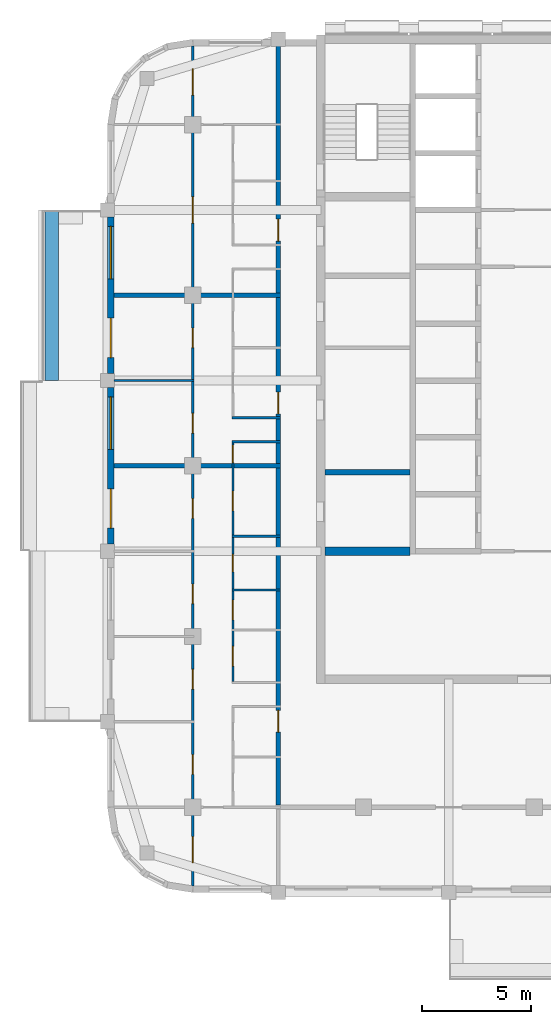
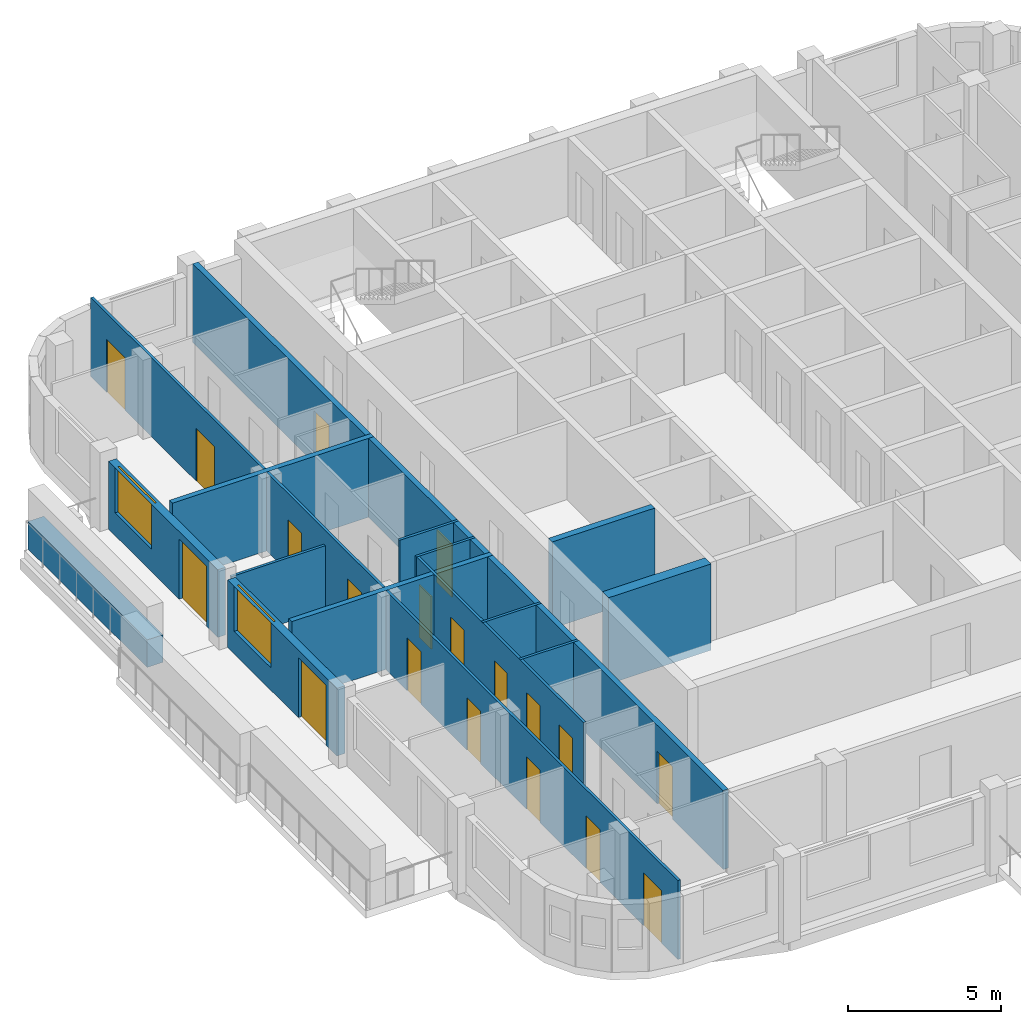
# One storey, part 3 of 13: 19 doors, 15 walls, 2 windows, 21 openings.
"""IFC4 building model written with IfcOpenShell, lengths in metres."""

from ifc_helpers import new_model, si_unit, direction, frame, frame_2d, origin, place, context, subcontext, project, spatial, rectangle, extrude, material, layer, layer_set, type_object, element, fill, save


model = new_model("IFC4")

# Units and contexts
model_context = context("Model", 3, precision=1e-05, world=origin(), true_north=direction((0.0, 1.0)))
body_context = subcontext(model_context, "Body", "Model", "MODEL_VIEW")
ifc_project = project(units=[si_unit("LENGTHUNIT", "METRE"), si_unit("AREAUNIT", "SQUARE_METRE"), si_unit("VOLUMEUNIT", "CUBIC_METRE"), si_unit("PLANEANGLEUNIT", "RADIAN"), si_unit("MASSUNIT", "GRAM", prefix="KILO")], contexts=[model_context])

# Site, building, storey
site_placement = place(None, origin())
site = spatial("IfcSite", under=ifc_project, at=site_placement, CompositionType="ELEMENT")
building_placement = place(site_placement, origin())
building = spatial("IfcBuilding", under=site, at=building_placement, Name="Ludao Terraces", CompositionType="ELEMENT")
storey_placement = place(building_placement, frame((0.0, 0.0, 246.0)))
storey = spatial("IfcBuildingStorey", under=building, at=storey_placement, Name="L67", CompositionType="ELEMENT", Elevation=246.0)

# Wall
ifc_material_1 = material(Name="Concrete C40", Category="concrete")
ifc_layer_1 = layer(ifc_material_1, 0.60009765625)
ifc_layer_set_1 = layer_set([ifc_layer_1], Name="ENV Planter trough 600")
wall_type_1 = type_object("IfcWallType", Name="ENV Planter trough 600", PredefinedType="USERDEFINED", material=ifc_layer_set_1)
wall_1_placement = place(storey_placement, frame((62.949951171875, 68.89990234375, 0.0), z_axis=(0.0, 0.0, 1.0), x_axis=(0.0, 1.0, 0.0)))
element("IfcWall", 1, at=wall_1_placement, inside=storey, type_object=wall_type_1, Name="PL-L67-W3", ObjectType="PLANTER", PredefinedType="USERDEFINED", context=body_context, shape_type="SweptSolid", body=[
    extrude(rectangle(XDim=7.800048828125, YDim=0.60009765625, at=frame_2d((3.89990234375, 0.0))), origin(), (0.0, 0.0, 1.0), 1.10009765625),
])

# Wall, openings, door, window
ifc_material_2 = material(Name="Granite cladding", Category="masonry")
ifc_layer_2 = layer(ifc_material_2, 0.0400390625, Category="stone")
ifc_material_3 = material(Name="Mineral wool")
ifc_layer_3 = layer(ifc_material_3, 0.06005859375)
ifc_layer_4 = layer(ifc_material_1, 0.199951171875, Category="concrete")
ifc_layer_set_2 = layer_set([ifc_layer_2, ifc_layer_3, ifc_layer_4], Name="ENV Stone-clad wall 300")
wall_type_2 = type_object("IfcWallType", Name="ENV Stone-clad wall 300", PredefinedType="SOLIDWALL", material=ifc_layer_set_2)
wall_2_placement = place(storey_placement, frame((65.64990234375, 61.425048828125, 0.0), z_axis=(0.0, 0.0, 1.0), x_axis=(0.0, 1.0, 0.0)))
wall_2 = element("IfcWall", 2, at=wall_2_placement, inside=storey, type_object=wall_type_2, Name="EW-L67-W3", PredefinedType="SOLIDWALL", context=body_context, shape_type="SweptSolid", body=[
    extrude(rectangle(XDim=7.14990234375, YDim=0.300048828125, at=frame_2d((3.574951171875, 0.0))), origin(), (0.0, 0.0, 1.0), 2.699951171875),
])
opening_1_placement = place(wall_2_placement, frame((0.72509765625, 0.0, 0.0)))
opening_1 = element("IfcOpeningElement", 3, at=opening_1_placement, cuts=wall_2, Name="Opening BD", PredefinedType="OPENING", context=body_context, shape_type="SweptSolid", body=[
    extrude(rectangle(XDim=1.800048828125, YDim=2.39990234375, at=frame_2d((0.89990234375, 1.199951171875))), frame((0.0, 0.16015625, 0.0), z_axis=(0.0, -1.0, 0.0), x_axis=(1.0, 0.0, 0.0)), (0.0, 0.0, 1.0), 0.320068359375),
])
opening_2_placement = place(wall_2_placement, frame((4.324951171875, 0.0, 0.89990234375)))
opening_2 = element("IfcOpeningElement", 4, at=opening_2_placement, cuts=wall_2, Name="Opening W1", PredefinedType="OPENING", context=body_context, shape_type="SweptSolid", body=[
    extrude(rectangle(XDim=2.39990234375, YDim=1.800048828125, at=frame_2d((1.199951171875, 0.89990234375))), frame((0.0, 0.16015625, 0.0), z_axis=(0.0, -1.0, 0.0), x_axis=(1.0, 0.0, 0.0)), (0.0, 0.0, 1.0), 0.320068359375),
])
ifc_material_4 = material(Name="Aluminium glazed door", Category="aluminium")
ifc_layer_5 = layer(ifc_material_4, 0.06005859375)
ifc_layer_set_3 = layer_set([ifc_layer_5], Name="ENV Balcony door BD 1800x2400")
door_type_1 = type_object("IfcDoorType", Name="ENV Balcony door BD 1800x2400", OperationType="DOUBLE_DOOR_SINGLE_SWING", PredefinedType="DOOR", material=ifc_layer_set_3)
door_1_placement = place(opening_1_placement, origin())
door_1 = element("IfcDoor", 5, at=door_1_placement, inside=storey, type_object=door_type_1, Name="BD-L67-W3-1", OperationType="DOUBLE_DOOR_SINGLE_SWING", OverallHeight=2.39990234375, OverallWidth=1.800048828125, PredefinedType="DOOR", context=body_context, shape_type="SweptSolid", body=[
    extrude(rectangle(XDim=1.800048828125, YDim=2.39990234375, at=frame_2d((0.89990234375, 1.199951171875))), frame((0.0, 0.02490234375, 0.0), z_axis=(0.0, -1.0, 0.0), x_axis=(1.0, 0.0, 0.0)), (0.0, 0.0, 1.0), 0.050048828125),
])
fill(opening_1, door_1)
ifc_material_5 = material(Name="Clear glass in aluminium frame", Category="aluminium")
ifc_layer_6 = layer(ifc_material_5, 0.06005859375)
ifc_layer_set_4 = layer_set([ifc_layer_6], Name="ENV Window W1 2400x1800")
window_type = type_object("IfcWindowType", Name="ENV Window W1 2400x1800", PartitioningType="DOUBLE_PANEL_VERTICAL", PredefinedType="WINDOW", material=ifc_layer_set_4)
window_1_placement = place(opening_2_placement, origin())
window_1 = element("IfcWindow", 6, at=window_1_placement, inside=storey, type_object=window_type, Name="W-L67-W3-2", OverallHeight=1.800048828125, OverallWidth=2.39990234375, PartitioningType="DOUBLE_PANEL_VERTICAL", PredefinedType="WINDOW", context=body_context, shape_type="SweptSolid", body=[
    extrude(rectangle(XDim=2.39990234375, YDim=1.800048828125, at=frame_2d((1.199951171875, 0.89990234375))), frame((0.0, 0.030029296875, 0.0), z_axis=(0.0, -1.0, 0.0), x_axis=(1.0, 0.0, 0.0)), (0.0, 0.0, 1.0), 0.06005859375),
])
fill(opening_2, window_1)

wall_3_placement = place(storey_placement, frame((65.64990234375, 69.22509765625, 0.0), z_axis=(0.0, 0.0, 1.0), x_axis=(0.0, 1.0, 0.0)))
wall_3 = element("IfcWall", 7, at=wall_3_placement, inside=storey, type_object=wall_type_2, Name="EW-L67-W4", PredefinedType="SOLIDWALL", context=body_context, shape_type="SweptSolid", body=[
    extrude(rectangle(XDim=7.14990234375, YDim=0.300048828125, at=frame_2d((3.574951171875, 0.0))), origin(), (0.0, 0.0, 1.0), 2.699951171875),
])
opening_3_placement = place(wall_3_placement, frame((0.72509765625, 0.0, 0.0)))
opening_3 = element("IfcOpeningElement", 8, at=opening_3_placement, cuts=wall_3, Name="Opening BD", PredefinedType="OPENING", context=body_context, shape_type="SweptSolid", body=[
    extrude(rectangle(XDim=1.800048828125, YDim=2.39990234375, at=frame_2d((0.89990234375, 1.199951171875))), frame((0.0, 0.16015625, 0.0), z_axis=(0.0, -1.0, 0.0), x_axis=(1.0, 0.0, 0.0)), (0.0, 0.0, 1.0), 0.320068359375),
])
opening_4_placement = place(wall_3_placement, frame((4.324951171875, 0.0, 0.89990234375)))
opening_4 = element("IfcOpeningElement", 9, at=opening_4_placement, cuts=wall_3, Name="Opening W1", PredefinedType="OPENING", context=body_context, shape_type="SweptSolid", body=[
    extrude(rectangle(XDim=2.39990234375, YDim=1.800048828125, at=frame_2d((1.199951171875, 0.89990234375))), frame((0.0, 0.16015625, 0.0), z_axis=(0.0, -1.0, 0.0), x_axis=(1.0, 0.0, 0.0)), (0.0, 0.0, 1.0), 0.320068359375),
])
door_2_placement = place(opening_3_placement, origin())
door_2 = element("IfcDoor", 10, at=door_2_placement, inside=storey, type_object=door_type_1, Name="BD-L67-W4-1", OperationType="DOUBLE_DOOR_SINGLE_SWING", OverallHeight=2.39990234375, OverallWidth=1.800048828125, PredefinedType="DOOR", context=body_context, shape_type="SweptSolid", body=[
    extrude(rectangle(XDim=1.800048828125, YDim=2.39990234375, at=frame_2d((0.89990234375, 1.199951171875))), frame((0.0, 0.02490234375, 0.0), z_axis=(0.0, -1.0, 0.0), x_axis=(1.0, 0.0, 0.0)), (0.0, 0.0, 1.0), 0.050048828125),
])
fill(opening_3, door_2)
window_2_placement = place(opening_4_placement, origin())
window_2 = element("IfcWindow", 11, at=window_2_placement, inside=storey, type_object=window_type, Name="W-L67-W4-2", OverallHeight=1.800048828125, OverallWidth=2.39990234375, PartitioningType="DOUBLE_PANEL_VERTICAL", PredefinedType="WINDOW", context=body_context, shape_type="SweptSolid", body=[
    extrude(rectangle(XDim=2.39990234375, YDim=1.800048828125, at=frame_2d((1.199951171875, 0.89990234375))), frame((0.0, 0.030029296875, 0.0), z_axis=(0.0, -1.0, 0.0), x_axis=(1.0, 0.0, 0.0)), (0.0, 0.0, 1.0), 0.06005859375),
])
fill(opening_4, window_2)

# Wall, openings, doors
ifc_material_6 = material(Name="Autoclaved aerated concrete block B06 A3.5", Category="concrete")
ifc_layer_7 = layer(ifc_material_6, 0.199951171875)
ifc_layer_set_5 = layer_set([ifc_layer_7], Name="INT Entrance wall 200")
wall_type_3 = type_object("IfcWallType", Name="INT Entrance wall 200", PredefinedType="PARTITIONING", material=ifc_layer_set_5)
wall_4_placement = place(storey_placement, frame((73.300048828125, 49.5, 0.0), z_axis=(0.0, 0.0, 1.0), x_axis=(0.0, 1.0, 0.0)))
wall_4 = element("IfcWall", 12, at=wall_4_placement, inside=storey, type_object=wall_type_3, Name="PW-L67-PW052", PredefinedType="PARTITIONING", context=body_context, shape_type="SweptSolid", body=[
    extrude(rectangle(XDim=34.7001953125, YDim=0.199951171875, at=frame_2d((17.35009765625, 0.0))), origin(), (0.0, 0.0, 1.0), 3.14990234375),
])
opening_5_placement = place(wall_4_placement, frame((3.3251953125, 0.0, 0.0)))
opening_5 = element("IfcOpeningElement", 13, at=opening_5_placement, cuts=wall_4, Name="Opening R24-014", PredefinedType="OPENING", context=body_context, shape_type="SweptSolid", body=[
    extrude(rectangle(XDim=1.0, YDim=2.10009765625, at=frame_2d((0.5, 1.050048828125))), frame((0.0, 0.10986328125, 0.0), z_axis=(0.0, -1.0, 0.0), x_axis=(1.0, 0.0, 0.0)), (0.0, 0.0, 1.0), 0.219970703125),
])
opening_6_placement = place(wall_4_placement, frame((17.875, 0.0, 0.0)))
opening_6 = element("IfcOpeningElement", 14, at=opening_6_placement, cuts=wall_4, Name="Opening R24-046", PredefinedType="OPENING", context=body_context, shape_type="SweptSolid", body=[
    extrude(rectangle(XDim=1.0, YDim=2.10009765625, at=frame_2d((0.5, 1.050048828125))), frame((0.0, 0.10986328125, 0.0), z_axis=(0.0, -1.0, 0.0), x_axis=(1.0, 0.0, 0.0)), (0.0, 0.0, 1.0), 0.219970703125),
])
opening_7_placement = place(wall_4_placement, frame((25.775146484375, 0.0, 0.0)))
opening_7 = element("IfcOpeningElement", 15, at=opening_7_placement, cuts=wall_4, Name="Opening R24-068", PredefinedType="OPENING", context=body_context, shape_type="SweptSolid", body=[
    extrude(rectangle(XDim=1.0, YDim=2.10009765625, at=frame_2d((0.5, 1.050048828125))), frame((0.0, 0.10986328125, 0.0), z_axis=(0.0, -1.0, 0.0), x_axis=(1.0, 0.0, 0.0)), (0.0, 0.0, 1.0), 0.219970703125),
])
ifc_material_7 = material(Name="Steel Q235", Category="steel")
door_type_2 = type_object("IfcDoorType", Name="INT Flat entrance door 1000", OperationType="SINGLE_SWING_LEFT", PredefinedType="DOOR", material=ifc_material_7)
door_3_placement = place(opening_5_placement, origin())
door_3 = element("IfcDoor", 16, at=door_3_placement, inside=storey, type_object=door_type_2, Name="DOOR 014", OperationType="SINGLE_SWING_LEFT", OverallHeight=2.10009765625, OverallWidth=1.0, PredefinedType="DOOR", context=body_context, shape_type="SweptSolid", body=[
    extrude(rectangle(XDim=1.0, YDim=2.10009765625, at=frame_2d((0.5, 1.050048828125))), frame((0.0, 0.02490234375, 0.0), z_axis=(0.0, -1.0, 0.0), x_axis=(1.0, 0.0, 0.0)), (0.0, 0.0, 1.0), 0.050048828125),
])
fill(opening_5, door_3)
door_4_placement = place(opening_6_placement, origin())
door_4 = element("IfcDoor", 17, at=door_4_placement, inside=storey, type_object=door_type_2, Name="DOOR 046", OperationType="SINGLE_SWING_RIGHT", OverallHeight=2.10009765625, OverallWidth=1.0, PredefinedType="DOOR", context=body_context, shape_type="SweptSolid", body=[
    extrude(rectangle(XDim=1.0, YDim=2.10009765625, at=frame_2d((0.5, 1.050048828125))), frame((0.0, 0.02490234375, 0.0), z_axis=(0.0, -1.0, 0.0), x_axis=(1.0, 0.0, 0.0)), (0.0, 0.0, 1.0), 0.050048828125),
])
fill(opening_6, door_4)
door_5_placement = place(opening_7_placement, origin())
door_5 = element("IfcDoor", 18, at=door_5_placement, inside=storey, type_object=door_type_2, Name="DOOR 068", OperationType="SINGLE_SWING_RIGHT", OverallHeight=2.10009765625, OverallWidth=1.0, PredefinedType="DOOR", context=body_context, shape_type="SweptSolid", body=[
    extrude(rectangle(XDim=1.0, YDim=2.10009765625, at=frame_2d((0.5, 1.050048828125))), frame((0.0, 0.02490234375, 0.0), z_axis=(0.0, -1.0, 0.0), x_axis=(1.0, 0.0, 0.0)), (0.0, 0.0, 1.0), 0.050048828125),
])
fill(opening_7, door_5)

# Walls
ifc_material_8 = material(Name="Gypsum plasterboard", Category="gypsum")
ifc_layer_8 = layer(ifc_material_8, 0.012451171875, Category="gypsum")
ifc_layer_9 = layer(ifc_material_3, 0.06005859375, Name="insulation")
ifc_layer_10 = layer(ifc_material_7, 0.014892578125, Name="stud")
ifc_layer_11 = layer(ifc_material_8, 0.012451171875, Category="gypsum")
ifc_layer_set_6 = layer_set([ifc_layer_8, ifc_layer_9, ifc_layer_10, ifc_layer_11], Name="INT Partition 100")
wall_type_4 = type_object("IfcWallType", Name="INT Partition 100", PredefinedType="PARTITIONING", material=ifc_layer_set_6)
for number, where, z_axis, x_axis, name in (
    (19, (71.18017578125, 59.330078125, 0.0), (0.0, 0.0, 1.0), (1.0, 0.0, 0.0), "PW-L67-PW014"),
    (20, (71.18017578125, 61.780029296875, 0.0), (0.0, 0.0, 1.0), (1.0, 0.0, 0.0), "PW-L67-PW019"),
    (21, (71.18017578125, 66.10009765625, 0.0), (0.0, 0.0, 1.0), (1.0, 0.0, 0.0), "PW-L67-PW023"),
    (22, (71.18017578125, 67.199951171875, 0.0), (0.0, 0.0, 1.0), (1.0, 0.0, 0.0), "PW-L67-PW025"),
):
    element("IfcWall", number, at=place(storey_placement, frame(where, z_axis=z_axis, x_axis=x_axis)), inside=storey, type_object=wall_type_4, Name=name, PredefinedType="PARTITIONING", context=body_context, shape_type="SweptSolid", body=[
        extrude(rectangle(XDim=2.219970703125, YDim=0.10009765625, at=frame_2d((1.10986328125, 0.0))), origin(), (0.0, 0.0, 1.0), 3.14990234375),
    ])
wall_5_placement = place(storey_placement, frame((65.800048828125, 68.89990234375, 0.0), z_axis=(0.0, 0.0, 1.0), x_axis=(1.0, 0.0, 0.0)))
element("IfcWall", 23, at=wall_5_placement, inside=storey, type_object=wall_type_4, Name="PW-L67-PW028", PredefinedType="PARTITIONING", context=body_context, shape_type="SweptSolid", body=[
    extrude(rectangle(XDim=3.650146484375, YDim=0.10009765625, at=frame_2d((1.8251953125, 0.0))), origin(), (0.0, 0.0, 1.0), 2.550048828125),
])

# Wall, openings, doors
wall_6_placement = place(storey_placement, frame((69.39990234375, 45.800048828125, 0.0), z_axis=(0.0, 0.0, 1.0), x_axis=(0.0, 1.0, 0.0)))
wall_6 = element("IfcWall", 24, at=wall_6_placement, inside=storey, type_object=wall_type_4, Name="PW-L67-PW046", PredefinedType="PARTITIONING", context=body_context, shape_type="SweptSolid", body=[
    extrude(rectangle(XDim=38.400146484375, YDim=0.10009765625, at=frame_2d((19.2001953125, 0.0))), origin(), (0.0, 0.0, 1.0), 3.14990234375),
])
opening_8_placement = place(wall_6_placement, frame((1.050048828125, 0.0, 0.0)))
opening_8 = element("IfcOpeningElement", 25, at=opening_8_placement, cuts=wall_6, Name="Opening R24-001", PredefinedType="OPENING", context=body_context, shape_type="SweptSolid", body=[
    extrude(rectangle(XDim=1.199951171875, YDim=2.10009765625, at=frame_2d((0.60009765625, 1.050048828125))), frame((0.0, 0.06005859375, 0.0), z_axis=(0.0, -1.0, 0.0), x_axis=(1.0, 0.0, 0.0)), (0.0, 0.0, 1.0), 0.1201171875),
])
opening_9_placement = place(wall_6_placement, frame((5.10009765625, 0.0, 0.0)))
opening_9 = element("IfcOpeningElement", 26, at=opening_9_placement, cuts=wall_6, Name="Opening R24-009", PredefinedType="OPENING", context=body_context, shape_type="SweptSolid", body=[
    extrude(rectangle(XDim=0.89990234375, YDim=2.10009765625, at=frame_2d((0.449951171875, 1.050048828125))), frame((0.0, 0.06005859375, 0.0), z_axis=(0.0, -1.0, 0.0), x_axis=(1.0, 0.0, 0.0)), (0.0, 0.0, 1.0), 0.1201171875),
])
opening_10_placement = place(wall_6_placement, frame((9.0, 0.0, 0.0)))
opening_10 = element("IfcOpeningElement", 27, at=opening_10_placement, cuts=wall_6, Name="Opening R24-015", PredefinedType="OPENING", context=body_context, shape_type="SweptSolid", body=[
    extrude(rectangle(XDim=0.89990234375, YDim=2.10009765625, at=frame_2d((0.449951171875, 1.050048828125))), frame((0.0, 0.06005859375, 0.0), z_axis=(0.0, -1.0, 0.0), x_axis=(1.0, 0.0, 0.0)), (0.0, 0.0, 1.0), 0.1201171875),
])
opening_11_placement = place(wall_6_placement, frame((12.89990234375, 0.0, 0.0)))
opening_11 = element("IfcOpeningElement", 28, at=opening_11_placement, cuts=wall_6, Name="Opening R24-022", PredefinedType="OPENING", context=body_context, shape_type="SweptSolid", body=[
    extrude(rectangle(XDim=0.89990234375, YDim=2.10009765625, at=frame_2d((0.449951171875, 1.050048828125))), frame((0.0, 0.06005859375, 0.0), z_axis=(0.0, -1.0, 0.0), x_axis=(1.0, 0.0, 0.0)), (0.0, 0.0, 1.0), 0.1201171875),
])
opening_12_placement = place(wall_6_placement, frame((16.800048828125, 0.0, 0.0)))
opening_12 = element("IfcOpeningElement", 29, at=opening_12_placement, cuts=wall_6, Name="Opening R24-031", PredefinedType="OPENING", context=body_context, shape_type="SweptSolid", body=[
    extrude(rectangle(XDim=0.89990234375, YDim=2.10009765625, at=frame_2d((0.449951171875, 1.050048828125))), frame((0.0, 0.06005859375, 0.0), z_axis=(0.0, -1.0, 0.0), x_axis=(1.0, 0.0, 0.0)), (0.0, 0.0, 1.0), 0.1201171875),
])
opening_13_placement = place(wall_6_placement, frame((20.699951171875, 0.0, 0.0)))
opening_13 = element("IfcOpeningElement", 30, at=opening_13_placement, cuts=wall_6, Name="Opening R24-041", PredefinedType="OPENING", context=body_context, shape_type="SweptSolid", body=[
    extrude(rectangle(XDim=0.89990234375, YDim=2.10009765625, at=frame_2d((0.449951171875, 1.050048828125))), frame((0.0, 0.06005859375, 0.0), z_axis=(0.0, -1.0, 0.0), x_axis=(1.0, 0.0, 0.0)), (0.0, 0.0, 1.0), 0.1201171875),
])
opening_14_placement = place(wall_6_placement, frame((24.60009765625, 0.0, 0.0)))
opening_14 = element("IfcOpeningElement", 31, at=opening_14_placement, cuts=wall_6, Name="Opening R24-053", PredefinedType="OPENING", context=body_context, shape_type="SweptSolid", body=[
    extrude(rectangle(XDim=0.89990234375, YDim=2.10009765625, at=frame_2d((0.449951171875, 1.050048828125))), frame((0.0, 0.06005859375, 0.0), z_axis=(0.0, -1.0, 0.0), x_axis=(1.0, 0.0, 0.0)), (0.0, 0.0, 1.0), 0.1201171875),
])
opening_15_placement = place(wall_6_placement, frame((30.300048828125, 0.0, 0.0)))
opening_15 = element("IfcOpeningElement", 32, at=opening_15_placement, cuts=wall_6, Name="Opening R24-072", PredefinedType="OPENING", context=body_context, shape_type="SweptSolid", body=[
    extrude(rectangle(XDim=1.199951171875, YDim=2.10009765625, at=frame_2d((0.60009765625, 1.050048828125))), frame((0.0, 0.06005859375, 0.0), z_axis=(0.0, -1.0, 0.0), x_axis=(1.0, 0.0, 0.0)), (0.0, 0.0, 1.0), 0.1201171875),
])
opening_16_placement = place(wall_6_placement, frame((36.14990234375, 0.0, 0.0)))
opening_16 = element("IfcOpeningElement", 33, at=opening_16_placement, cuts=wall_6, Name="Opening R24-085", PredefinedType="OPENING", context=body_context, shape_type="SweptSolid", body=[
    extrude(rectangle(XDim=1.199951171875, YDim=2.10009765625, at=frame_2d((0.60009765625, 1.050048828125))), frame((0.0, 0.06005859375, 0.0), z_axis=(0.0, -1.0, 0.0), x_axis=(1.0, 0.0, 0.0)), (0.0, 0.0, 1.0), 0.1201171875),
])
ifc_material_9 = material(Name="Timber door leaf", Category="wood")
door_type_3 = type_object("IfcDoorType", Name="INT Double door 1200", OperationType="DOUBLE_DOOR_SINGLE_SWING", PredefinedType="DOOR", material=ifc_material_9)
door_6_placement = place(opening_8_placement, origin())
door_6 = element("IfcDoor", 34, at=door_6_placement, inside=storey, type_object=door_type_3, Name="DOOR 001", OperationType="DOUBLE_DOOR_SINGLE_SWING", OverallHeight=2.10009765625, OverallWidth=1.199951171875, PredefinedType="DOOR", context=body_context, shape_type="SweptSolid", body=[
    extrude(rectangle(XDim=1.199951171875, YDim=2.10009765625, at=frame_2d((0.60009765625, 1.050048828125))), frame((0.0, 0.02490234375, 0.0), z_axis=(0.0, -1.0, 0.0), x_axis=(1.0, 0.0, 0.0)), (0.0, 0.0, 1.0), 0.050048828125),
])
fill(opening_8, door_6)
door_7_placement = place(opening_15_placement, origin())
door_7 = element("IfcDoor", 35, at=door_7_placement, inside=storey, type_object=door_type_3, Name="DOOR 072", OperationType="DOUBLE_DOOR_SINGLE_SWING", OverallHeight=2.10009765625, OverallWidth=1.199951171875, PredefinedType="DOOR", context=body_context, shape_type="SweptSolid", body=[
    extrude(rectangle(XDim=1.199951171875, YDim=2.10009765625, at=frame_2d((0.60009765625, 1.050048828125))), frame((0.0, 0.02490234375, 0.0), z_axis=(0.0, -1.0, 0.0), x_axis=(1.0, 0.0, 0.0)), (0.0, 0.0, 1.0), 0.050048828125),
])
fill(opening_15, door_7)
door_8_placement = place(opening_16_placement, origin())
door_8 = element("IfcDoor", 36, at=door_8_placement, inside=storey, type_object=door_type_3, Name="DOOR 085", OperationType="DOUBLE_DOOR_SINGLE_SWING", OverallHeight=2.10009765625, OverallWidth=1.199951171875, PredefinedType="DOOR", context=body_context, shape_type="SweptSolid", body=[
    extrude(rectangle(XDim=1.199951171875, YDim=2.10009765625, at=frame_2d((0.60009765625, 1.050048828125))), frame((0.0, 0.02490234375, 0.0), z_axis=(0.0, -1.0, 0.0), x_axis=(1.0, 0.0, 0.0)), (0.0, 0.0, 1.0), 0.050048828125),
])
fill(opening_16, door_8)
door_type_4 = type_object("IfcDoorType", Name="INT Room door 900", OperationType="SINGLE_SWING_LEFT", PredefinedType="DOOR", material=ifc_material_9)
door_9_placement = place(opening_9_placement, origin())
door_9 = element("IfcDoor", 37, at=door_9_placement, inside=storey, type_object=door_type_4, Name="DOOR 009", OperationType="SINGLE_SWING_LEFT", OverallHeight=2.10009765625, OverallWidth=0.89990234375, PredefinedType="DOOR", context=body_context, shape_type="SweptSolid", body=[
    extrude(rectangle(XDim=0.89990234375, YDim=2.10009765625, at=frame_2d((0.449951171875, 1.050048828125))), frame((0.0, 0.02490234375, 0.0), z_axis=(0.0, -1.0, 0.0), x_axis=(1.0, 0.0, 0.0)), (0.0, 0.0, 1.0), 0.050048828125),
])
fill(opening_9, door_9)
door_10_placement = place(opening_10_placement, origin())
door_10 = element("IfcDoor", 38, at=door_10_placement, inside=storey, type_object=door_type_4, Name="DOOR 015", OperationType="SINGLE_SWING_LEFT", OverallHeight=2.10009765625, OverallWidth=0.89990234375, PredefinedType="DOOR", context=body_context, shape_type="SweptSolid", body=[
    extrude(rectangle(XDim=0.89990234375, YDim=2.10009765625, at=frame_2d((0.449951171875, 1.050048828125))), frame((0.0, 0.02490234375, 0.0), z_axis=(0.0, -1.0, 0.0), x_axis=(1.0, 0.0, 0.0)), (0.0, 0.0, 1.0), 0.050048828125),
])
fill(opening_10, door_10)
door_11_placement = place(opening_11_placement, origin())
door_11 = element("IfcDoor", 39, at=door_11_placement, inside=storey, type_object=door_type_4, Name="DOOR 022", OperationType="SINGLE_SWING_LEFT", OverallHeight=2.10009765625, OverallWidth=0.89990234375, PredefinedType="DOOR", context=body_context, shape_type="SweptSolid", body=[
    extrude(rectangle(XDim=0.89990234375, YDim=2.10009765625, at=frame_2d((0.449951171875, 1.050048828125))), frame((0.0, 0.02490234375, 0.0), z_axis=(0.0, -1.0, 0.0), x_axis=(1.0, 0.0, 0.0)), (0.0, 0.0, 1.0), 0.050048828125),
])
fill(opening_11, door_11)
door_12_placement = place(opening_12_placement, origin())
door_12 = element("IfcDoor", 40, at=door_12_placement, inside=storey, type_object=door_type_4, Name="DOOR 031", OperationType="SINGLE_SWING_RIGHT", OverallHeight=2.10009765625, OverallWidth=0.89990234375, PredefinedType="DOOR", context=body_context, shape_type="SweptSolid", body=[
    extrude(rectangle(XDim=0.89990234375, YDim=2.10009765625, at=frame_2d((0.449951171875, 1.050048828125))), frame((0.0, 0.02490234375, 0.0), z_axis=(0.0, -1.0, 0.0), x_axis=(1.0, 0.0, 0.0)), (0.0, 0.0, 1.0), 0.050048828125),
])
fill(opening_12, door_12)
door_13_placement = place(opening_13_placement, origin())
door_13 = element("IfcDoor", 41, at=door_13_placement, inside=storey, type_object=door_type_4, Name="DOOR 041", OperationType="SINGLE_SWING_LEFT", OverallHeight=2.10009765625, OverallWidth=0.89990234375, PredefinedType="DOOR", context=body_context, shape_type="SweptSolid", body=[
    extrude(rectangle(XDim=0.89990234375, YDim=2.10009765625, at=frame_2d((0.449951171875, 1.050048828125))), frame((0.0, 0.02490234375, 0.0), z_axis=(0.0, -1.0, 0.0), x_axis=(1.0, 0.0, 0.0)), (0.0, 0.0, 1.0), 0.050048828125),
])
fill(opening_13, door_13)
door_14_placement = place(opening_14_placement, origin())
door_14 = element("IfcDoor", 42, at=door_14_placement, inside=storey, type_object=door_type_4, Name="DOOR 053", OperationType="SINGLE_SWING_LEFT", OverallHeight=2.10009765625, OverallWidth=0.89990234375, PredefinedType="DOOR", context=body_context, shape_type="SweptSolid", body=[
    extrude(rectangle(XDim=0.89990234375, YDim=2.10009765625, at=frame_2d((0.449951171875, 1.050048828125))), frame((0.0, 0.02490234375, 0.0), z_axis=(0.0, -1.0, 0.0), x_axis=(1.0, 0.0, 0.0)), (0.0, 0.0, 1.0), 0.050048828125),
])
fill(opening_14, door_14)

wall_7_placement = place(storey_placement, frame((71.22998046875, 55.150146484375, 0.0), z_axis=(0.0, 0.0, 1.0), x_axis=(0.0, 1.0, 0.0)))
wall_7 = element("IfcWall", 43, at=wall_7_placement, inside=storey, type_object=wall_type_4, Name="PW-L67-PW048", PredefinedType="PARTITIONING", context=body_context, shape_type="SweptSolid", body=[
    extrude(rectangle(XDim=10.89990234375, YDim=0.10009765625, at=frame_2d((5.449951171875, 0.0))), origin(), (0.0, 0.0, 1.0), 3.14990234375),
])
opening_17_placement = place(wall_7_placement, frame((0.699951171875, 0.0, 0.0)))
opening_17 = element("IfcOpeningElement", 44, at=opening_17_placement, cuts=wall_7, Name="Opening R24-018", PredefinedType="OPENING", context=body_context, shape_type="SweptSolid", body=[
    extrude(rectangle(XDim=0.89990234375, YDim=2.10009765625, at=frame_2d((0.449951171875, 1.050048828125))), frame((0.0, 0.06005859375, 0.0), z_axis=(0.0, -1.0, 0.0), x_axis=(1.0, 0.0, 0.0)), (0.0, 0.0, 1.0), 0.1201171875),
])
opening_18_placement = place(wall_7_placement, frame((2.81494140625, 0.0, 0.0)))
opening_18 = element("IfcOpeningElement", 45, at=opening_18_placement, cuts=wall_7, Name="Opening R24-021", PredefinedType="OPENING", context=body_context, shape_type="SweptSolid", body=[
    extrude(rectangle(XDim=0.89990234375, YDim=2.10009765625, at=frame_2d((0.449951171875, 1.050048828125))), frame((0.0, 0.06005859375, 0.0), z_axis=(0.0, -1.0, 0.0), x_axis=(1.0, 0.0, 0.0)), (0.0, 0.0, 1.0), 0.1201171875),
])
opening_19_placement = place(wall_7_placement, frame((5.0048828125, 0.0, 0.0)))
opening_19 = element("IfcOpeningElement", 46, at=opening_19_placement, cuts=wall_7, Name="Opening R24-025", PredefinedType="OPENING", context=body_context, shape_type="SweptSolid", body=[
    extrude(rectangle(XDim=0.800048828125, YDim=2.10009765625, at=frame_2d((0.39990234375, 1.050048828125))), frame((0.0, 0.06005859375, 0.0), z_axis=(0.0, -1.0, 0.0), x_axis=(1.0, 0.0, 0.0)), (0.0, 0.0, 1.0), 0.1201171875),
])
opening_20_placement = place(wall_7_placement, frame((7.7900390625, 0.0, 0.0)))
opening_20 = element("IfcOpeningElement", 47, at=opening_20_placement, cuts=wall_7, Name="Opening R24-034", PredefinedType="OPENING", context=body_context, shape_type="SweptSolid", body=[
    extrude(rectangle(XDim=0.89990234375, YDim=2.10009765625, at=frame_2d((0.449951171875, 1.050048828125))), frame((0.0, 0.06005859375, 0.0), z_axis=(0.0, -1.0, 0.0), x_axis=(1.0, 0.0, 0.0)), (0.0, 0.0, 1.0), 0.1201171875),
])
opening_21_placement = place(wall_7_placement, frame((10.0, 0.0, 0.0)))
opening_21 = element("IfcOpeningElement", 48, at=opening_21_placement, cuts=wall_7, Name="Opening R24-038", PredefinedType="OPENING", context=body_context, shape_type="SweptSolid", body=[
    extrude(rectangle(XDim=0.800048828125, YDim=2.10009765625, at=frame_2d((0.39990234375, 1.050048828125))), frame((0.0, 0.06005859375, 0.0), z_axis=(0.0, -1.0, 0.0), x_axis=(1.0, 0.0, 0.0)), (0.0, 0.0, 1.0), 0.1201171875),
])
door_type_5 = type_object("IfcDoorType", Name="INT Bathroom door 900", OperationType="SINGLE_SWING_LEFT", PredefinedType="DOOR", material=ifc_material_9)
door_15_placement = place(opening_17_placement, origin())
door_15 = element("IfcDoor", 49, at=door_15_placement, inside=storey, type_object=door_type_5, Name="DOOR 018", OperationType="SINGLE_SWING_RIGHT", OverallHeight=2.10009765625, OverallWidth=0.89990234375, PredefinedType="DOOR", context=body_context, shape_type="SweptSolid", body=[
    extrude(rectangle(XDim=0.89990234375, YDim=2.10009765625, at=frame_2d((0.449951171875, 1.050048828125))), frame((0.0, 0.02490234375, 0.0), z_axis=(0.0, -1.0, 0.0), x_axis=(1.0, 0.0, 0.0)), (0.0, 0.0, 1.0), 0.050048828125),
])
fill(opening_17, door_15)
door_16_placement = place(opening_18_placement, origin())
door_16 = element("IfcDoor", 50, at=door_16_placement, inside=storey, type_object=door_type_5, Name="DOOR 021", OperationType="SINGLE_SWING_LEFT", OverallHeight=2.10009765625, OverallWidth=0.89990234375, PredefinedType="DOOR", context=body_context, shape_type="SweptSolid", body=[
    extrude(rectangle(XDim=0.89990234375, YDim=2.10009765625, at=frame_2d((0.449951171875, 1.050048828125))), frame((0.0, 0.02490234375, 0.0), z_axis=(0.0, -1.0, 0.0), x_axis=(1.0, 0.0, 0.0)), (0.0, 0.0, 1.0), 0.050048828125),
])
fill(opening_18, door_16)
door_17_placement = place(opening_20_placement, origin())
door_17 = element("IfcDoor", 51, at=door_17_placement, inside=storey, type_object=door_type_4, Name="DOOR 034", OperationType="SINGLE_SWING_LEFT", OverallHeight=2.10009765625, OverallWidth=0.89990234375, PredefinedType="DOOR", context=body_context, shape_type="SweptSolid", body=[
    extrude(rectangle(XDim=0.89990234375, YDim=2.10009765625, at=frame_2d((0.449951171875, 1.050048828125))), frame((0.0, 0.02490234375, 0.0), z_axis=(0.0, -1.0, 0.0), x_axis=(1.0, 0.0, 0.0)), (0.0, 0.0, 1.0), 0.050048828125),
])
fill(opening_20, door_17)
door_type_6 = type_object("IfcDoorType", Name="INT Store door 800", OperationType="SINGLE_SWING_LEFT", PredefinedType="DOOR", material=ifc_material_9)
door_18_placement = place(opening_19_placement, origin())
door_18 = element("IfcDoor", 52, at=door_18_placement, inside=storey, type_object=door_type_6, Name="DOOR 025", OperationType="SINGLE_SWING_RIGHT", OverallHeight=2.10009765625, OverallWidth=0.800048828125, PredefinedType="DOOR", context=body_context, shape_type="SweptSolid", body=[
    extrude(rectangle(XDim=0.800048828125, YDim=2.10009765625, at=frame_2d((0.39990234375, 1.050048828125))), frame((0.0, 0.02490234375, 0.0), z_axis=(0.0, -1.0, 0.0), x_axis=(1.0, 0.0, 0.0)), (0.0, 0.0, 1.0), 0.050048828125),
])
fill(opening_19, door_18)
door_19_placement = place(opening_21_placement, origin())
door_19 = element("IfcDoor", 53, at=door_19_placement, inside=storey, type_object=door_type_6, Name="DOOR 038", OperationType="SINGLE_SWING_RIGHT", OverallHeight=2.10009765625, OverallWidth=0.800048828125, PredefinedType="DOOR", context=body_context, shape_type="SweptSolid", body=[
    extrude(rectangle(XDim=0.800048828125, YDim=2.10009765625, at=frame_2d((0.39990234375, 1.050048828125))), frame((0.0, 0.02490234375, 0.0), z_axis=(0.0, -1.0, 0.0), x_axis=(1.0, 0.0, 0.0)), (0.0, 0.0, 1.0), 0.050048828125),
])
fill(opening_21, door_19)

# Walls
ifc_layer_12 = layer(ifc_material_6, 0.199951171875)
ifc_layer_set_7 = layer_set([ifc_layer_12], Name="INT Party wall 200")
wall_type_5 = type_object("IfcWallType", Name="INT Party wall 200", PredefinedType="PARTITIONING", material=ifc_layer_set_7)
for number, where, z_axis, x_axis, name in (
    (54, (65.800048828125, 65.0, 0.0), (0.0, 0.0, 1.0), (1.0, 0.0, 0.0), "PW-L67-PW021"),
    (55, (65.800048828125, 72.800048828125, 0.0), (0.0, 0.0, 1.0), (1.0, 0.0, 0.0), "PW-L67-PW034"),
):
    element("IfcWall", number, at=place(storey_placement, frame(where, z_axis=z_axis, x_axis=x_axis)), inside=storey, type_object=wall_type_5, Name=name, PredefinedType="PARTITIONING", context=body_context, shape_type="SweptSolid", body=[
        extrude(rectangle(XDim=7.60009765625, YDim=0.199951171875, at=frame_2d((3.800048828125, 0.0))), origin(), (0.0, 0.0, 1.0), 3.14990234375),
    ])
ifc_material_10 = material(Name="Concrete C50", Category="concrete")
ifc_layer_13 = layer(ifc_material_10, 0.25)
ifc_layer_set_8 = layer_set([ifc_layer_13], Name="Shaft wall 250 C50")
wall_type_6 = type_object("IfcWallType", Name="Shaft wall 250 C50", PredefinedType="SOLIDWALL", material=ifc_layer_set_8)
wall_8_placement = place(storey_placement, frame((75.449951171875, 64.699951171875, -0.300048828125), z_axis=(0.0, 0.0, 1.0), x_axis=(1.0, 0.0, 0.0)))
element("IfcWall", 56, at=wall_8_placement, inside=storey, type_object=wall_type_6, Name="Core wall L67 riser-a-W", PredefinedType="SOLIDWALL", context=body_context, shape_type="SweptSolid", body=[
    extrude(rectangle(XDim=3.875, YDim=0.25, at=frame_2d((1.9375, 0.0))), origin(), (0.0, 0.0, 1.0), 3.449951171875),
])
ifc_layer_14 = layer(ifc_material_10, 0.39990234375)
ifc_layer_set_9 = layer_set([ifc_layer_14], Name="Shaft wall 400 C50")
wall_type_7 = type_object("IfcWallType", Name="Shaft wall 400 C50", PredefinedType="SOLIDWALL", material=ifc_layer_set_9)
wall_9_placement = place(storey_placement, frame((75.449951171875, 61.10009765625, -0.300048828125), z_axis=(0.0, 0.0, 1.0), x_axis=(1.0, 0.0, 0.0)))
element("IfcWall", 57, at=wall_9_placement, inside=storey, type_object=wall_type_7, Name="Core wall L67 hall-W", PredefinedType="SOLIDWALL", context=body_context, shape_type="SweptSolid", body=[
    extrude(rectangle(XDim=3.875, YDim=0.39990234375, at=frame_2d((1.9375, 0.0))), origin(), (0.0, 0.0, 1.0), 3.449951171875),
])

save(model, "model.ifc")
